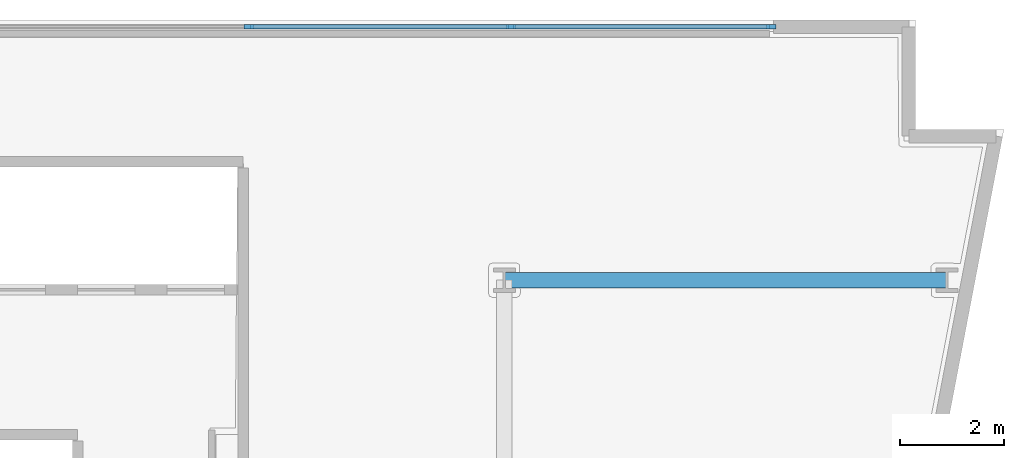
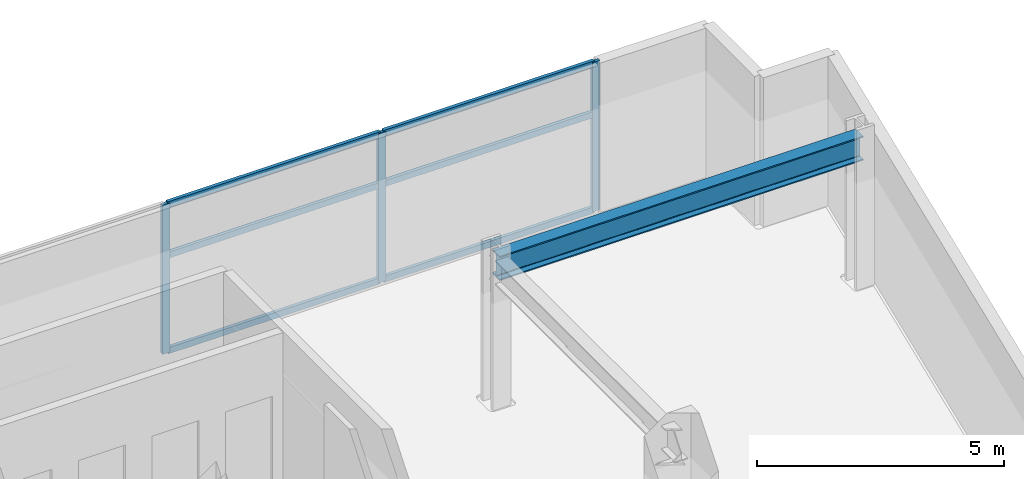
# One storey, part 4 of 13: 9 members, 1 beam, 1 element without a shape of its own.
"""IFC4 building model written with IfcOpenShell, lengths in metres."""

from ifc_helpers import new_model, si_unit, direction, frame, origin, origin_2d, place, context, subcontext, project, spatial, rectangle, i_section, extrude, material, layer, layer_set, material_profile, profile_set, type_object, element, aggregate, save


model = new_model("IFC4")

# Units and contexts
model_context = context("Model", 3, precision=1e-05, world=origin(), true_north=direction((0.0, 1.0)))
body_context = subcontext(model_context, "Body", "Model", "MODEL_VIEW")
ifc_project = project(units=[si_unit("LENGTHUNIT", "METRE"), si_unit("AREAUNIT", "SQUARE_METRE"), si_unit("VOLUMEUNIT", "CUBIC_METRE"), si_unit("PLANEANGLEUNIT", "RADIAN"), si_unit("MASSUNIT", "GRAM", prefix="KILO")], contexts=[model_context])

# Site, building, storey
site_placement = place(None, origin())
site = spatial("IfcSite", under=ifc_project, at=site_placement, CompositionType="ELEMENT")
building_placement = place(site_placement, origin())
building = spatial("IfcBuilding", under=site, at=building_placement, Name="Caeloran Harvest Quay", CompositionType="ELEMENT")
storey_placement = place(building_placement, frame((0.0, 0.0, 127.199951171875)))
storey = spatial("IfcBuildingStorey", under=building, at=storey_placement, Name="L29", CompositionType="ELEMENT", Elevation=127.199951171875)

# Beam
ifc_material_1 = material(Name="Steel S355J2", Category="steel")
ifc_material_profile_1 = material_profile(ifc_material_1, i_section(OverallWidth=0.300048828125, OverallDepth=0.60009765625, WebThickness=0.015380859375, FlangeThickness=0.030029296875, FilletRadius=0.027099609375, at=origin_2d()), Name="HE 600 B")
ifc_profile_set_1 = profile_set([ifc_material_profile_1], Name="Steel S355J2")
beam_type = type_object("IfcBeamType", Name="BM-PG-3-HE_600_B", PredefinedType="BEAM", material=ifc_profile_set_1)
beam_placement = place(storey_placement, frame((42.5, 38.5, 3.39013671875), z_axis=(1.0, 0.0, 0.0), x_axis=(0.0, 1.0, 0.0)))
element("IfcBeam", 1, at=beam_placement, inside=storey, type_object=beam_type, Name="L29 Primary East-West Girder Y=38.5", PredefinedType="BEAM", context=body_context, shape_type="SweptSolid", body=[
    extrude(i_section(OverallWidth=0.300048828125, OverallDepth=0.60009765625, WebThickness=0.015380859375, FlangeThickness=0.030029296875, FilletRadius=0.027099609375, at=origin_2d()), origin(), (0.0, 0.0, 1.0), 8.5),
])

# Curtain wall, members
ifc_material_2 = material(Name="Aluminium 6063-T6 and Low-E Glazing", Category="aluminium")
ifc_layer = layer(ifc_material_2, 0.18994140625, Name="Aluminium 6063-T6 and Low-E Glazing")
ifc_layer_set = layer_set([ifc_layer], Name="Aluminium 6063-T6 and Low-E Glazing")
curtain_wall_type = type_object("IfcCurtainWallType", Name="CW-SYS-CW-3", PredefinedType="USERDEFINED", material=ifc_layer_set)
curtain_wall_placement = place(storey_placement, origin())
curtain_wall = element("IfcCurtainWall", 2, at=curtain_wall_placement, inside=storey, type_object=curtain_wall_type, Name="L29 Unitised Curtain Wall CW-3 Run 6", ObjectType="CURTAIN_WALL", PredefinedType="USERDEFINED")
ifc_material_3 = material(Name="Aluminium 6063-T6", Category="aluminium")
ifc_material_profile_2 = material_profile(ifc_material_3, rectangle(XDim=0.080078125, YDim=0.179931640625, at=origin_2d()), Name="CW-MULLION-180")
ifc_profile_set_2 = profile_set([ifc_material_profile_2], Name="Aluminium 6063-T6")
member_type_1 = type_object("IfcMemberType", Name="CW-MULLION-180", PredefinedType="MULLION", material=ifc_profile_set_2)
member_1_placement = place(storey_placement, frame((37.5849609375, 43.3701171875, 0.0), z_axis=(0.0, 0.0, 1.0), x_axis=(0.0, 1.0, 0.0)))
member_1 = element("IfcMember", 3, at=member_1_placement, type_object=member_type_1, Name="CW-3 mullion 7", PredefinedType="MULLION", context=body_context, shape_type="SweptSolid", body=[
    extrude(rectangle(XDim=0.080078125, YDim=0.179931640625, at=origin_2d()), origin(), (0.0, 0.0, 1.0), 3.68994140625),
])
member_2_placement = place(storey_placement, frame((42.62744140625, 43.3701171875, 0.0), z_axis=(0.0, 0.0, 1.0), x_axis=(0.0, 1.0, 0.0)))
member_2 = element("IfcMember", 4, at=member_2_placement, type_object=member_type_1, Name="CW-3 mullion 8", PredefinedType="MULLION", context=body_context, shape_type="SweptSolid", body=[
    extrude(rectangle(XDim=0.080078125, YDim=0.179931640625, at=origin_2d()), origin(), (0.0, 0.0, 1.0), 3.68994140625),
])
member_3_placement = place(storey_placement, frame((47.6298828125, 43.3701171875, 0.0), z_axis=(0.0, 0.0, 1.0), x_axis=(0.0, 1.0, 0.0)))
member_3 = element("IfcMember", 5, at=member_3_placement, type_object=member_type_1, Name="CW-3 mullion 9", PredefinedType="MULLION", context=body_context, shape_type="SweptSolid", body=[
    extrude(rectangle(XDim=0.080078125, YDim=0.179931640625, at=origin_2d()), origin(), (0.0, 0.0, 1.0), 3.68994140625),
])
ifc_material_profile_3 = material_profile(ifc_material_3, rectangle(XDim=0.080078125, YDim=0.14990234375, at=origin_2d()), Name="CW-TRANSOM-150")
ifc_profile_set_3 = profile_set([ifc_material_profile_3], Name="Aluminium 6063-T6")
member_type_2 = type_object("IfcMemberType", Name="CW-TRANSOM-150", PredefinedType="USERDEFINED", material=ifc_profile_set_3)
member_4_placement = place(storey_placement, frame((37.625, 43.3701171875, 0.0400390625), z_axis=(1.0, 0.0, 0.0), x_axis=(0.0, 1.0, 0.0)))
member_4 = element("IfcMember", 6, at=member_4_placement, type_object=member_type_2, Name="CW-3 transom 7.1", ObjectType="TRANSOM", PredefinedType="USERDEFINED", context=body_context, shape_type="SweptSolid", body=[
    extrude(rectangle(XDim=0.080078125, YDim=0.14990234375, at=origin_2d()), origin(), (0.0, 0.0, 1.0), 4.96240234375),
])
member_5_placement = place(storey_placement, frame((37.625, 43.3701171875, 2.400146484375), z_axis=(1.0, 0.0, 0.0), x_axis=(0.0, 1.0, 0.0)))
member_5 = element("IfcMember", 7, at=member_5_placement, type_object=member_type_2, Name="CW-3 transom 7.2", ObjectType="TRANSOM", PredefinedType="USERDEFINED", context=body_context, shape_type="SweptSolid", body=[
    extrude(rectangle(XDim=0.080078125, YDim=0.14990234375, at=origin_2d()), origin(), (0.0, 0.0, 1.0), 4.96240234375),
])
member_6_placement = place(storey_placement, frame((37.625, 43.3701171875, 3.650146484375), z_axis=(1.0, 0.0, 0.0), x_axis=(0.0, 1.0, 0.0)))
member_6 = element("IfcMember", 8, at=member_6_placement, type_object=member_type_2, Name="CW-3 transom 7.3", ObjectType="TRANSOM", PredefinedType="USERDEFINED", context=body_context, shape_type="SweptSolid", body=[
    extrude(rectangle(XDim=0.080078125, YDim=0.14990234375, at=origin_2d()), origin(), (0.0, 0.0, 1.0), 4.96240234375),
])
member_7_placement = place(storey_placement, frame((42.66748046875, 43.3701171875, 0.0400390625), z_axis=(1.0, 0.0, 0.0), x_axis=(0.0, 1.0, 0.0)))
member_7 = element("IfcMember", 9, at=member_7_placement, type_object=member_type_2, Name="CW-3 transom 8.1", ObjectType="TRANSOM", PredefinedType="USERDEFINED", context=body_context, shape_type="SweptSolid", body=[
    extrude(rectangle(XDim=0.080078125, YDim=0.14990234375, at=origin_2d()), origin(), (0.0, 0.0, 1.0), 4.922607421875),
])
member_8_placement = place(storey_placement, frame((42.66748046875, 43.3701171875, 2.400146484375), z_axis=(1.0, 0.0, 0.0), x_axis=(0.0, 1.0, 0.0)))
member_8 = element("IfcMember", 10, at=member_8_placement, type_object=member_type_2, Name="CW-3 transom 8.2", ObjectType="TRANSOM", PredefinedType="USERDEFINED", context=body_context, shape_type="SweptSolid", body=[
    extrude(rectangle(XDim=0.080078125, YDim=0.14990234375, at=origin_2d()), origin(), (0.0, 0.0, 1.0), 4.922607421875),
])
member_9_placement = place(storey_placement, frame((42.66748046875, 43.3701171875, 3.650146484375), z_axis=(1.0, 0.0, 0.0), x_axis=(0.0, 1.0, 0.0)))
member_9 = element("IfcMember", 11, at=member_9_placement, type_object=member_type_2, Name="CW-3 transom 8.3", ObjectType="TRANSOM", PredefinedType="USERDEFINED", context=body_context, shape_type="SweptSolid", body=[
    extrude(rectangle(XDim=0.080078125, YDim=0.14990234375, at=origin_2d()), origin(), (0.0, 0.0, 1.0), 4.922607421875),
])
aggregate(curtain_wall, [member_1, member_2, member_3, member_4, member_5, member_6, member_7, member_8, member_9])

save(model, "model.ifc")
